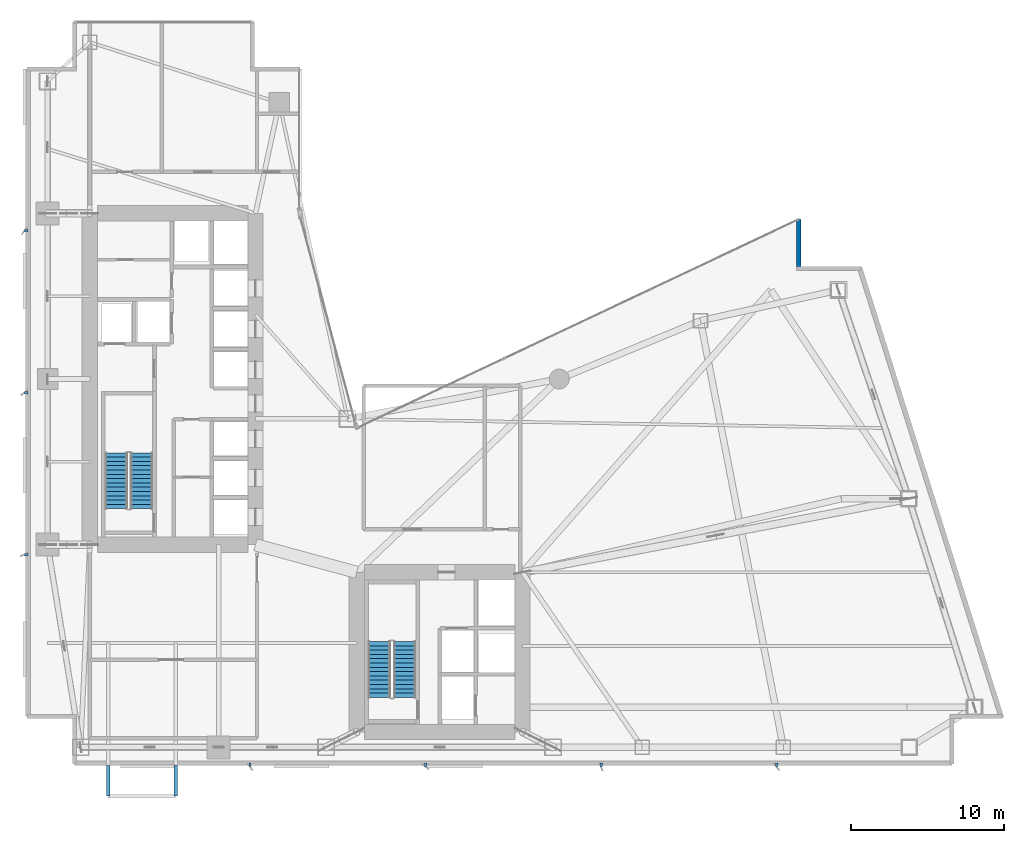
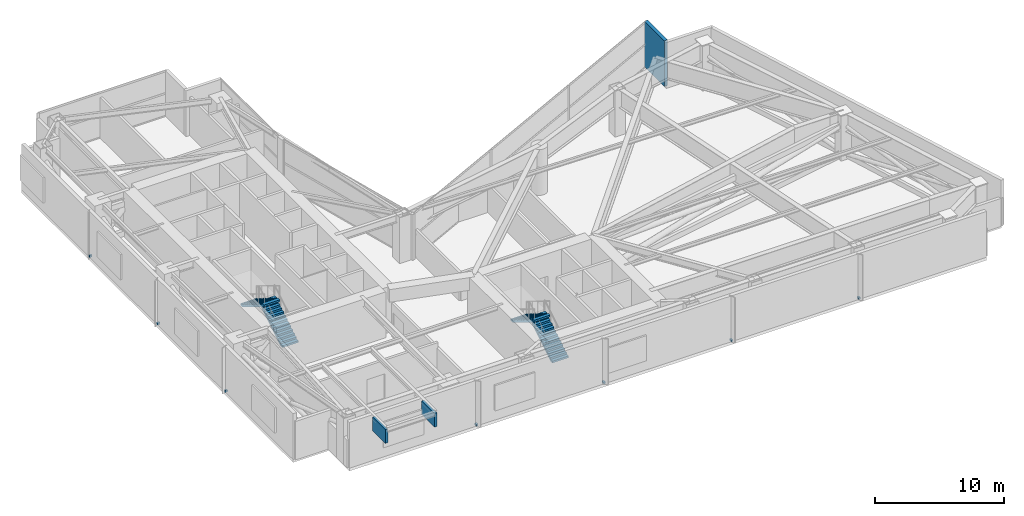
# One storey, part 16 of 18: 9 discrete accessories, 4 stair flights, 1 wall, 2 elements without a shape of their own.
"""IFC4 building model written with IfcOpenShell, lengths in metres."""

from ifc_helpers import new_model, si_unit, direction, frame, frame_2d, origin, origin_2d, place, context, subcontext, project, spatial, polyline, rectangle, outline, extrude, material, layer, layer_set, type_object, element, aggregate, save


model = new_model("IFC4")

# Units and contexts
model_context = context("Model", 3, precision=1e-05, world=origin(), true_north=direction((0.0, 1.0)))
body_context = subcontext(model_context, "Body", "Model", "MODEL_VIEW")
ifc_project = project(units=[si_unit("LENGTHUNIT", "METRE"), si_unit("AREAUNIT", "SQUARE_METRE"), si_unit("VOLUMEUNIT", "CUBIC_METRE"), si_unit("PLANEANGLEUNIT", "RADIAN"), si_unit("MASSUNIT", "GRAM", prefix="KILO")], contexts=[model_context])

# Site, building, storey
site_placement = place(None, origin())
site = spatial("IfcSite", under=ifc_project, at=site_placement, CompositionType="ELEMENT")
building_placement = place(site_placement, origin())
building = spatial("IfcBuilding", under=site, at=building_placement, Name="Calvorn Quay Hotel", CompositionType="ELEMENT")
storey_placement = place(building_placement, frame((0.0, 0.0, 92.60009765625)))
storey = spatial("IfcBuildingStorey", under=building, at=storey_placement, Name="L22", CompositionType="ELEMENT", Elevation=92.60009765625)

# Wall
ifc_material_1 = material(Name="Concrete C40", Category="concrete")
ifc_layer = layer(ifc_material_1, 0.320068359375)
ifc_layer_set = layer_set([ifc_layer], Name="WL-EXT-SPANDREL-320")
wall_type = type_object("IfcWallType", Name="WL-EXT-SPANDREL-320", PredefinedType="SOLIDWALL", material=ifc_layer_set)
wall_placement = place(storey_placement, frame((50.39990234375, 34.93994140625, 0.0), z_axis=(0.0, 0.0, 1.0), x_axis=(0.0, 1.0, 0.0)))
element("IfcWall", 1, at=wall_placement, inside=storey, type_object=wall_type, Name="Notched Corner Spandrel L22-NE2", PredefinedType="SOLIDWALL", context=body_context, shape_type="SweptSolid", body=[
    extrude(rectangle(XDim=3.10009765625, YDim=0.280029296875, at=frame_2d((1.550048828125, 0.0))), origin(), (0.0, 0.0, 1.0), 4.349853515625),
])

# Stair, stair flights
ifc_material_2 = material(Name="Concrete C40", Category="concrete")
stair_type = type_object("IfcStairType", Name="STR-CORE-DOGLEG", PredefinedType="HALF_TURN_STAIR", material=ifc_material_2)
stair_1_placement = place(storey_placement, origin())
stair_1 = element("IfcStair", 2, at=stair_1_placement, inside=storey, type_object=stair_type, Name="L22 ST-W", PredefinedType="HALF_TURN_STAIR")
ifc_material_3 = material(Name="Concrete C40", Category="concrete")
stair_flight_type = type_object("IfcStairFlightType", Name="FLT-CORE-1550", PredefinedType="STRAIGHT", material=ifc_material_3)
stair_flight_1_placement = place(storey_placement, frame((7.574951171875, 19.14990234375, 0.0), z_axis=(0.0, 0.0, 1.0), x_axis=(0.0, 1.0, 0.0)))
stair_flight_1 = element("IfcStairFlight", 3, at=stair_flight_1_placement, type_object=stair_flight_type, Name="ST-W flight 1", NumberOfRisers=14, NumberOfTreads=13, PredefinedType="STRAIGHT", RiserHeight=0.171428571, TreadLength=0.28, context=body_context, shape_type="SweptSolid", body=[
    extrude(outline(polyline([(0.0, 0.0), (0.0, 0.17138671875), (0.280029296875, 0.17138671875), (0.280029296875, 0.3427734375), (0.56005859375, 0.3427734375), (0.56005859375, 0.514404296875), (0.840087890625, 0.514404296875), (0.840087890625, 0.685791015625), (1.1201171875, 0.685791015625), (1.1201171875, 0.857177734375), (1.39990234375, 0.857177734375), (1.39990234375, 1.028564453125), (1.679931640625, 1.028564453125), (1.679931640625, 1.199951171875), (1.9599609375, 1.199951171875), (1.9599609375, 1.371337890625), (2.239990234375, 1.371337890625), (2.239990234375, 1.54296875), (2.52001953125, 1.54296875), (2.52001953125, 1.71435546875), (2.800048828125, 1.71435546875), (2.800048828125, 1.8857421875), (3.080078125, 1.8857421875), (3.080078125, 2.05712890625), (3.360107421875, 2.05712890625), (3.360107421875, 2.228515625), (3.639892578125, 2.228515625), (3.639892578125, 2.39990234375), (3.639892578125, 2.052734375), (0.287109375, 0.0), (0.0, 0.0)])), frame((0.0, 0.72509765625, 0.0), z_axis=(0.0, -1.0, 0.0), x_axis=(1.0, 0.0, 0.0)), (0.0, 0.0, 1.0), 1.449951171875),
])
stair_flight_2_placement = place(storey_placement, frame((5.925048828125, 22.7900390625, 2.39990234375), z_axis=(0.0, 0.0, 1.0), x_axis=(0.0, -1.0, 0.0)))
stair_flight_2 = element("IfcStairFlight", 4, at=stair_flight_2_placement, type_object=stair_flight_type, Name="ST-W flight 2", NumberOfRisers=14, NumberOfTreads=13, PredefinedType="STRAIGHT", RiserHeight=0.171428571, TreadLength=0.28, context=body_context, shape_type="SweptSolid", body=[
    extrude(outline(polyline([(0.0, 0.0), (0.0, 0.17138671875), (0.280029296875, 0.17138671875), (0.280029296875, 0.3427734375), (0.56005859375, 0.3427734375), (0.56005859375, 0.514404296875), (0.840087890625, 0.514404296875), (0.840087890625, 0.685791015625), (1.1201171875, 0.685791015625), (1.1201171875, 0.857177734375), (1.39990234375, 0.857177734375), (1.39990234375, 1.028564453125), (1.679931640625, 1.028564453125), (1.679931640625, 1.199951171875), (1.9599609375, 1.199951171875), (1.9599609375, 1.371337890625), (2.239990234375, 1.371337890625), (2.239990234375, 1.54296875), (2.52001953125, 1.54296875), (2.52001953125, 1.71435546875), (2.800048828125, 1.71435546875), (2.800048828125, 1.8857421875), (3.080078125, 1.8857421875), (3.080078125, 2.05712890625), (3.360107421875, 2.05712890625), (3.360107421875, 2.228515625), (3.639892578125, 2.228515625), (3.639892578125, 2.39990234375), (3.639892578125, 2.052734375), (0.287109375, 0.0), (0.0, 0.0)])), frame((0.0, 0.72509765625, 0.0), z_axis=(0.0, -1.0, 0.0), x_axis=(1.0, 0.0, 0.0)), (0.0, 0.0, 1.0), 1.449951171875),
])
aggregate(stair_1, [stair_flight_1, stair_flight_2])

stair_2_placement = place(storey_placement, origin())
stair_2 = element("IfcStair", 5, at=stair_2_placement, inside=storey, type_object=stair_type, Name="L22 ST-E", PredefinedType="HALF_TURN_STAIR")
stair_flight_3_placement = place(storey_placement, frame((24.72509765625, 6.85009765625, 0.0), z_axis=(0.0, 0.0, 1.0), x_axis=(0.0, 1.0, 0.0)))
stair_flight_3 = element("IfcStairFlight", 6, at=stair_flight_3_placement, type_object=stair_flight_type, Name="ST-E flight 1", NumberOfRisers=14, NumberOfTreads=13, PredefinedType="STRAIGHT", RiserHeight=0.171428571, TreadLength=0.28, context=body_context, shape_type="SweptSolid", body=[
    extrude(outline(polyline([(0.0, 0.0), (0.0, 0.17138671875), (0.280029296875, 0.17138671875), (0.280029296875, 0.3427734375), (0.56005859375, 0.3427734375), (0.56005859375, 0.514404296875), (0.840087890625, 0.514404296875), (0.840087890625, 0.685791015625), (1.1201171875, 0.685791015625), (1.1201171875, 0.857177734375), (1.39990234375, 0.857177734375), (1.39990234375, 1.028564453125), (1.679931640625, 1.028564453125), (1.679931640625, 1.199951171875), (1.9599609375, 1.199951171875), (1.9599609375, 1.371337890625), (2.239990234375, 1.371337890625), (2.239990234375, 1.54296875), (2.52001953125, 1.54296875), (2.52001953125, 1.71435546875), (2.800048828125, 1.71435546875), (2.800048828125, 1.8857421875), (3.080078125, 1.8857421875), (3.080078125, 2.05712890625), (3.360107421875, 2.05712890625), (3.360107421875, 2.228515625), (3.639892578125, 2.228515625), (3.639892578125, 2.39990234375), (3.639892578125, 2.052734375), (0.287109375, 0.0), (0.0, 0.0)])), frame((0.0, 0.72509765625, 0.0), z_axis=(0.0, -1.0, 0.0), x_axis=(1.0, 0.0, 0.0)), (0.0, 0.0, 1.0), 1.449951171875),
])
stair_flight_4_placement = place(storey_placement, frame((23.074951171875, 10.489990234375, 2.39990234375), z_axis=(0.0, 0.0, 1.0), x_axis=(0.0, -1.0, 0.0)))
stair_flight_4 = element("IfcStairFlight", 7, at=stair_flight_4_placement, type_object=stair_flight_type, Name="ST-E flight 2", NumberOfRisers=14, NumberOfTreads=13, PredefinedType="STRAIGHT", RiserHeight=0.171428571, TreadLength=0.28, context=body_context, shape_type="SweptSolid", body=[
    extrude(outline(polyline([(0.0, 0.0), (0.0, 0.17138671875), (0.280029296875, 0.17138671875), (0.280029296875, 0.3427734375), (0.56005859375, 0.3427734375), (0.56005859375, 0.514404296875), (0.840087890625, 0.514404296875), (0.840087890625, 0.685791015625), (1.1201171875, 0.685791015625), (1.1201171875, 0.857177734375), (1.39990234375, 0.857177734375), (1.39990234375, 1.028564453125), (1.679931640625, 1.028564453125), (1.679931640625, 1.199951171875), (1.9599609375, 1.199951171875), (1.9599609375, 1.371337890625), (2.239990234375, 1.371337890625), (2.239990234375, 1.54296875), (2.52001953125, 1.54296875), (2.52001953125, 1.71435546875), (2.800048828125, 1.71435546875), (2.800048828125, 1.8857421875), (3.080078125, 1.8857421875), (3.080078125, 2.05712890625), (3.360107421875, 2.05712890625), (3.360107421875, 2.228515625), (3.639892578125, 2.228515625), (3.639892578125, 2.39990234375), (3.639892578125, 2.052734375), (0.287109375, 0.0), (0.0, 0.0)])), frame((0.0, 0.72509765625, 0.0), z_axis=(0.0, -1.0, 0.0), x_axis=(1.0, 0.0, 0.0)), (0.0, 0.0, 1.0), 1.449951171875),
])
aggregate(stair_2, [stair_flight_3, stair_flight_4])

# Discrete accessories
ifc_material_4 = material(Name="Steel Q355B", Category="steel")
discrete_accessory_type_1 = type_object("IfcDiscreteAccessoryType", Name="ACC-BALC-STRUT", PredefinedType="BRACKET", material=ifc_material_4)
for number, where, z_axis, x_axis, name in (
    (8, (5.39990234375, 1.405029296875, 2.82470703125), (0.0, 0.0, 1.0), (1.0, 0.0, 0.0), "Exterior Balcony Steel Bracket L23-BALC-S-A"),
    (9, (9.800048828125, 1.405029296875, 2.82470703125), (0.0, 0.0, 1.0), (1.0, 0.0, 0.0), "Exterior Balcony Steel Bracket L23-BALC-S-B"),
):
    element("IfcDiscreteAccessory", number, at=place(storey_placement, frame(where, z_axis=z_axis, x_axis=x_axis)), inside=storey, type_object=discrete_accessory_type_1, Name=name, PredefinedType="BRACKET", context=body_context, shape_type="SweptSolid", body=[
        extrude(rectangle(XDim=0.219970703125, YDim=1.989990234375, at=origin_2d()), origin(), (0.0, 0.0, 1.0), 1.300048828125),
    ])
ifc_material_5 = material(Name="Steel Q355B", Category="steel")
discrete_accessory_type_2 = type_object("IfcDiscreteAccessoryType", Name="ACC-FIN-BRACKET", PredefinedType="BRACKET", material=ifc_material_5)
for number, where, z_axis, x_axis, name in (
    (10, (0.06005859375, 16.14990234375, 0.02978515625), (0.0, 0.0, 1.0), (1.0, 0.0, 0.0), "Fin Anchor Bracket L22-W01"),
    (11, (0.06005859375, 26.699951171875, 0.02978515625), (0.0, 0.0, 1.0), (1.0, 0.0, 0.0), "Fin Anchor Bracket L22-W02"),
    (12, (0.06005859375, 37.25, 0.02978515625), (0.0, 0.0, 1.0), (1.0, 0.0, 0.0), "Fin Anchor Bracket L22-W03"),
    (13, (14.639892578125, 2.4599609375, 0.02978515625), (0.0, 0.0, 1.0), (0.0, 1.0, 0.0), "Fin Anchor Bracket L22-S01"),
    (14, (26.080078125, 2.4599609375, 0.02978515625), (0.0, 0.0, 1.0), (0.0, 1.0, 0.0), "Fin Anchor Bracket L22-S02"),
    (15, (37.52001953125, 2.4599609375, 0.02978515625), (0.0, 0.0, 1.0), (0.0, 1.0, 0.0), "Fin Anchor Bracket L22-S03"),
    (16, (48.9599609375, 2.4599609375, 0.02978515625), (0.0, 0.0, 1.0), (0.0, 1.0, 0.0), "Fin Anchor Bracket L22-S04"),
):
    element("IfcDiscreteAccessory", number, at=place(storey_placement, frame(where, z_axis=z_axis, x_axis=x_axis)), inside=storey, type_object=discrete_accessory_type_2, Name=name, PredefinedType="BRACKET", context=body_context, shape_type="SweptSolid", body=[
        extrude(rectangle(XDim=0.239990234375, YDim=0.159912109375, at=origin_2d()), origin(), (0.0, 0.0, 1.0), 0.179931640625),
    ])

save(model, "model.ifc")
